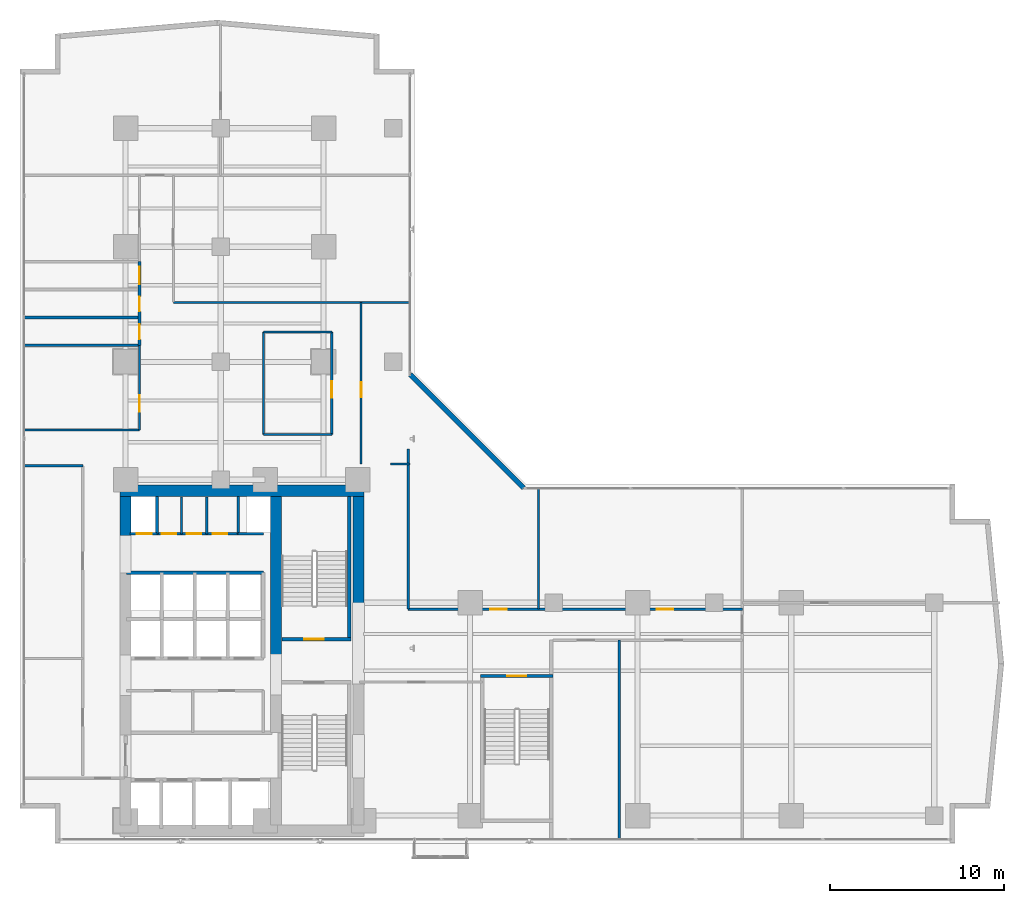
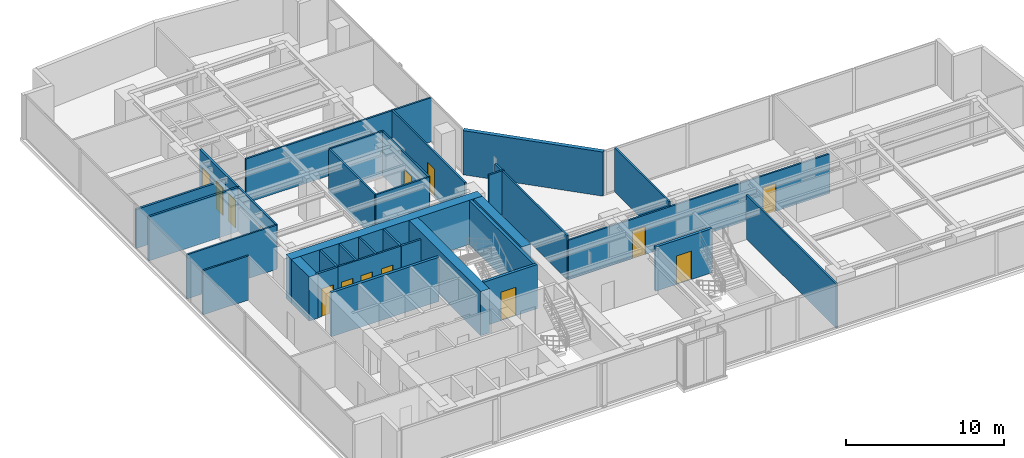
# One storey, part 20 of 25: 33 walls, 14 doors, 14 openings.
"""IFC4 building model written with IfcOpenShell, lengths in metres."""

from ifc_helpers import new_model, si_unit, direction, frame, frame_2d, origin, place, context, subcontext, project, spatial, rectangle, extrude, material, layer, layer_set, type_object, element, fill, save


model = new_model("IFC4")

# Units and contexts
model_context = context("Model", 3, precision=1e-05, world=origin(), true_north=direction((0.0, 1.0)))
body_context = subcontext(model_context, "Body", "Model", "MODEL_VIEW")
ifc_project = project(units=[si_unit("LENGTHUNIT", "METRE"), si_unit("AREAUNIT", "SQUARE_METRE"), si_unit("VOLUMEUNIT", "CUBIC_METRE"), si_unit("PLANEANGLEUNIT", "RADIAN"), si_unit("MASSUNIT", "GRAM", prefix="KILO")], contexts=[model_context])

# Site, building, storey
site_placement = place(None, origin())
site = spatial("IfcSite", under=ifc_project, at=site_placement, CompositionType="ELEMENT")
building_placement = place(site_placement, origin())
building = spatial("IfcBuilding", under=site, at=building_placement, Name="Kolvaren Waterfront Exchange", CompositionType="ELEMENT")
storey_placement = place(building_placement, frame((0.0, 0.0, 137.300048828125)))
storey = spatial("IfcBuildingStorey", under=building, at=storey_placement, Name="L35", CompositionType="ELEMENT", Elevation=137.300048828125)

# Wall
ifc_material_1 = material(Name="Precast concrete C40/50", Category="concrete")
ifc_layer_1 = layer(ifc_material_1, 0.280029296875, Name="Precast concrete C40/50")
ifc_layer_set_1 = layer_set([ifc_layer_1], Name="Precast concrete C40/50")
wall_type_1 = type_object("IfcWallType", Name="ARC-EXT-TERR-280", PredefinedType="SOLIDWALL", material=ifc_layer_set_1)
wall_1_placement = place(storey_placement, frame((30.284912109375, 23.97509765625, 0.0), z_axis=(0.0, 0.0, 1.0), x_axis=(-0.707106781187, 0.707106781187, 0.0)))
element("IfcWall", 1, at=wall_1_placement, inside=storey, type_object=wall_type_1, Name="L35 notched corner spandrel pier ELBOW", PredefinedType="SOLIDWALL", context=body_context, shape_type="SweptSolid", body=[
    extrude(rectangle(XDim=9.20654296875, YDim=0.280029296875, at=frame_2d((4.603271484375, 0.0))), origin(), (0.0, 0.0, 1.0), 3.419921875),
])

# Wall, opening, door
ifc_layer_2 = layer(ifc_material_1, 0.199951171875, Name="Precast concrete C40/50")
ifc_layer_set_2 = layer_set([ifc_layer_2], Name="Precast concrete C40/50")
wall_type_2 = type_object("IfcWallType", Name="ARC-FIRE-200", PredefinedType="PARTITIONING", material=ifc_layer_set_2)
wall_2_placement = place(storey_placement, frame((16.409912109375, 15.300048828125, 0.0), z_axis=(0.0, 0.0, 1.0), x_axis=(1.0, 0.0, 0.0)))
wall_2 = element("IfcWall", 2, at=wall_2_placement, inside=storey, type_object=wall_type_2, Name="L35 interior wall PW-L35-ST2-THROAT-N", PredefinedType="PARTITIONING", context=body_context, shape_type="SweptSolid", body=[
    extrude(rectangle(XDim=3.9501953125, YDim=0.199951171875, at=frame_2d((1.97509765625, 0.0))), origin(), (0.0, 0.0, 1.0), 3.419921875),
])
opening_1_placement = place(wall_2_placement, frame((1.293701171875, 0.0, 0.0)))
opening_1 = element("IfcOpeningElement", 3, at=opening_1_placement, cuts=wall_2, Name="Opening FD2", PredefinedType="OPENING", context=body_context, shape_type="SweptSolid", body=[
    extrude(rectangle(XDim=1.10009765625, YDim=2.199951171875, at=frame_2d((0.550048828125, 1.10009765625))), frame((0.0, 0.10986328125, 0.0), z_axis=(0.0, -1.0, 0.0), x_axis=(1.0, 0.0, 0.0)), (0.0, 0.0, 1.0), 0.219970703125),
])
ifc_material_2 = material(Name="Pressed steel smoke-seal fire door", Category="steel")
door_type_1 = type_object("IfcDoorType", Name="ARC-FD-1100", OperationType="NOTDEFINED", PredefinedType="DOOR", material=ifc_material_2)
door_1_placement = place(opening_1_placement, origin())
door_1 = element("IfcDoor", 4, at=door_1_placement, inside=storey, type_object=door_type_1, Name="L35 door DR-L35-ST2-IN (FD2)", OperationType="SINGLE_SWING_RIGHT", OverallHeight=2.199951171875, OverallWidth=1.10009765625, PredefinedType="DOOR", context=body_context, shape_type="SweptSolid", body=[
    extrude(rectangle(XDim=1.10009765625, YDim=2.199951171875, at=frame_2d((0.550048828125, 1.10009765625))), frame((0.0, 0.02490234375, 0.0), z_axis=(0.0, -1.0, 0.0), x_axis=(1.0, 0.0, 0.0)), (0.0, 0.0, 1.0), 0.050048828125),
])
fill(opening_1, door_1)

# Wall, openings, doors
ifc_material_3 = material(Name="Acoustic gypsum steel stud", Category="steel")
ifc_layer_3 = layer(ifc_material_3, 0.125, Name="Acoustic gypsum steel stud")
ifc_layer_set_3 = layer_set([ifc_layer_3], Name="Acoustic gypsum steel stud")
wall_type_3 = type_object("IfcWallType", Name="ARC-PART-125", PredefinedType="PARTITIONING", material=ifc_layer_set_3)
wall_3_placement = place(storey_placement, frame((9.25, 21.35009765625, 0.0), z_axis=(0.0, 0.0, 1.0), x_axis=(1.0, 0.0, 0.0)))
wall_3 = element("IfcWall", 5, at=wall_3_placement, inside=storey, type_object=wall_type_3, Name="L35 interior wall PW-L35-SVC-EX-S", PredefinedType="PARTITIONING", context=body_context, shape_type="SweptSolid", body=[
    extrude(rectangle(XDim=4.64990234375, YDim=0.125, at=frame_2d((2.324951171875, 0.0))), origin(), (0.0, 0.0, 1.0), 3.419921875),
])
opening_2_placement = place(wall_3_placement, frame((0.264892578125, 0.0, 0.0)))
opening_2 = element("IfcOpeningElement", 6, at=opening_2_placement, cuts=wall_3, Name="Opening D01", PredefinedType="OPENING", context=body_context, shape_type="SweptSolid", body=[
    extrude(rectangle(XDim=0.85009765625, YDim=2.14990234375, at=frame_2d((0.425048828125, 1.074951171875))), frame((0.0, 0.072509765625, 0.0), z_axis=(0.0, -1.0, 0.0), x_axis=(1.0, 0.0, 0.0)), (0.0, 0.0, 1.0), 0.14501953125),
])
opening_3_placement = place(wall_3_placement, frame((1.695068359375, 0.0, 0.0)))
opening_3 = element("IfcOpeningElement", 7, at=opening_3_placement, cuts=wall_3, Name="Opening D01", PredefinedType="OPENING", context=body_context, shape_type="SweptSolid", body=[
    extrude(rectangle(XDim=0.85009765625, YDim=2.14990234375, at=frame_2d((0.425048828125, 1.074951171875))), frame((0.0, 0.072509765625, 0.0), z_axis=(0.0, -1.0, 0.0), x_axis=(1.0, 0.0, 0.0)), (0.0, 0.0, 1.0), 0.14501953125),
])
opening_4_placement = place(wall_3_placement, frame((3.18994140625, 0.0, 0.0)))
opening_4 = element("IfcOpeningElement", 8, at=opening_4_placement, cuts=wall_3, Name="Opening D01", PredefinedType="OPENING", context=body_context, shape_type="SweptSolid", body=[
    extrude(rectangle(XDim=0.85009765625, YDim=2.14990234375, at=frame_2d((0.425048828125, 1.074951171875))), frame((0.0, 0.072509765625, 0.0), z_axis=(0.0, -1.0, 0.0), x_axis=(1.0, 0.0, 0.0)), (0.0, 0.0, 1.0), 0.14501953125),
])
ifc_material_4 = material(Name="Oak veneer timber leaf", Category="wood")
door_type_2 = type_object("IfcDoorType", Name="ARC-DR-900", OperationType="NOTDEFINED", PredefinedType="DOOR", material=ifc_material_4)
door_2_placement = place(opening_2_placement, origin())
door_2 = element("IfcDoor", 9, at=door_2_placement, inside=storey, type_object=door_type_2, Name="L35 door DR-L35-SVC-DR-1 (D01)", OperationType="SINGLE_SWING_RIGHT", OverallHeight=2.14990234375, OverallWidth=0.85009765625, PredefinedType="DOOR", context=body_context, shape_type="SweptSolid", body=[
    extrude(rectangle(XDim=0.85009765625, YDim=2.14990234375, at=frame_2d((0.425048828125, 1.074951171875))), frame((0.0, 0.02490234375, 0.0), z_axis=(0.0, -1.0, 0.0), x_axis=(1.0, 0.0, 0.0)), (0.0, 0.0, 1.0), 0.050048828125),
])
fill(opening_2, door_2)
door_3_placement = place(opening_3_placement, origin())
door_3 = element("IfcDoor", 10, at=door_3_placement, inside=storey, type_object=door_type_2, Name="L35 door DR-L35-SVC-DR-2 (D01)", OperationType="SINGLE_SWING_LEFT", OverallHeight=2.14990234375, OverallWidth=0.85009765625, PredefinedType="DOOR", context=body_context, shape_type="SweptSolid", body=[
    extrude(rectangle(XDim=0.85009765625, YDim=2.14990234375, at=frame_2d((0.425048828125, 1.074951171875))), frame((0.0, 0.02490234375, 0.0), z_axis=(0.0, -1.0, 0.0), x_axis=(1.0, 0.0, 0.0)), (0.0, 0.0, 1.0), 0.050048828125),
])
fill(opening_3, door_3)
door_4_placement = place(opening_4_placement, origin())
door_4 = element("IfcDoor", 11, at=door_4_placement, inside=storey, type_object=door_type_2, Name="L35 door DR-L35-SVC-DR-3 (D01)", OperationType="SINGLE_SWING_RIGHT", OverallHeight=2.14990234375, OverallWidth=0.85009765625, PredefinedType="DOOR", context=body_context, shape_type="SweptSolid", body=[
    extrude(rectangle(XDim=0.85009765625, YDim=2.14990234375, at=frame_2d((0.425048828125, 1.074951171875))), frame((0.0, 0.02490234375, 0.0), z_axis=(0.0, -1.0, 0.0), x_axis=(1.0, 0.0, 0.0)), (0.0, 0.0, 1.0), 0.050048828125),
])
fill(opening_4, door_4)

# Walls
for number, where, z_axis, x_axis, name in (
    (12, (10.64990234375, 21.35009765625, 0.0), (0.0, 0.0, 1.0), (0.0, 1.0, 0.0), "L35 interior wall PW-L35-SVC-EX-A"),
    (13, (12.10009765625, 21.35009765625, 0.0), (0.0, 0.0, 1.0), (0.0, 1.0, 0.0), "L35 interior wall PW-L35-SVC-EX-B"),
):
    element("IfcWall", number, at=place(storey_placement, frame(where, z_axis=z_axis, x_axis=x_axis)), inside=storey, type_object=wall_type_3, Name=name, PredefinedType="PARTITIONING", context=body_context, shape_type="SweptSolid", body=[
        extrude(rectangle(XDim=2.099853515625, YDim=0.125, at=frame_2d((1.0498046875, 0.0))), origin(), (0.0, 0.0, 1.0), 3.419921875),
    ])
for number, where, z_axis, x_axis, name in (
    (14, (15.35009765625, 27.050048828125, 0.0), (0.0, 0.0, 1.0), (1.0, 0.0, 0.0), "L35 interior wall PW-L35-ISL-S"),
    (15, (15.35009765625, 32.919921875, 0.0), (0.0, 0.0, 1.0), (1.0, 0.0, 0.0), "L35 interior wall PW-L35-ISL-N"),
):
    element("IfcWall", number, at=place(storey_placement, frame(where, z_axis=z_axis, x_axis=x_axis)), inside=storey, type_object=wall_type_3, Name=name, PredefinedType="PARTITIONING", context=body_context, shape_type="SweptSolid", body=[
        extrude(rectangle(XDim=3.919921875, YDim=0.125, at=frame_2d((1.9599609375, 0.0))), origin(), (0.0, 0.0, 1.0), 3.419921875),
    ])
wall_4_placement = place(storey_placement, frame((15.35009765625, 27.050048828125, 0.0), z_axis=(0.0, 0.0, 1.0), x_axis=(0.0, 1.0, 0.0)))
element("IfcWall", 16, at=wall_4_placement, inside=storey, type_object=wall_type_3, Name="L35 interior wall PW-L35-ISL-W", PredefinedType="PARTITIONING", context=body_context, shape_type="SweptSolid", body=[
    extrude(rectangle(XDim=5.869873046875, YDim=0.125, at=frame_2d((2.93505859375, 0.0))), origin(), (0.0, 0.0, 1.0), 3.419921875),
])

# Wall, opening, door
wall_5_placement = place(storey_placement, frame((19.27001953125, 27.050048828125, 0.0), z_axis=(0.0, 0.0, 1.0), x_axis=(0.0, 1.0, 0.0)))
wall_5 = element("IfcWall", 17, at=wall_5_placement, inside=storey, type_object=wall_type_3, Name="L35 interior wall PW-L35-ISL-E", PredefinedType="PARTITIONING", context=body_context, shape_type="SweptSolid", body=[
    extrude(rectangle(XDim=5.869873046875, YDim=0.125, at=frame_2d((2.93505859375, 0.0))), origin(), (0.0, 0.0, 1.0), 3.419921875),
])
opening_5_placement = place(wall_5_placement, frame((2.106201171875, 0.0, 0.0)))
opening_5 = element("IfcOpeningElement", 18, at=opening_5_placement, cuts=wall_5, Name="Opening D02", PredefinedType="OPENING", context=body_context, shape_type="SweptSolid", body=[
    extrude(rectangle(XDim=0.949951171875, YDim=2.14990234375, at=frame_2d((0.47509765625, 1.074951171875))), frame((0.0, 0.072509765625, 0.0), z_axis=(0.0, -1.0, 0.0), x_axis=(1.0, 0.0, 0.0)), (0.0, 0.0, 1.0), 0.14501953125),
])
ifc_material_5 = material(Name="Oak veneer acoustic timber", Category="wood")
door_type_3 = type_object("IfcDoorType", Name="ARC-DR-950", OperationType="NOTDEFINED", PredefinedType="DOOR", material=ifc_material_5)
door_5_placement = place(opening_5_placement, origin())
door_5 = element("IfcDoor", 19, at=door_5_placement, inside=storey, type_object=door_type_3, Name="L35 door DR-L35-ISL-D (D02)", OperationType="SINGLE_SWING_LEFT", OverallHeight=2.14990234375, OverallWidth=0.949951171875, PredefinedType="DOOR", context=body_context, shape_type="SweptSolid", body=[
    extrude(rectangle(XDim=0.949951171875, YDim=2.14990234375, at=frame_2d((0.47509765625, 1.074951171875))), frame((0.0, 0.02490234375, 0.0), z_axis=(0.0, -1.0, 0.0), x_axis=(1.0, 0.0, 0.0)), (0.0, 0.0, 1.0), 0.050048828125),
])
fill(opening_5, door_5)

wall_6_placement = place(storey_placement, frame((8.25, 27.300048828125, 0.0), z_axis=(0.0, 0.0, 1.0), x_axis=(0.0, 1.0, 0.0)))
wall_6 = element("IfcWall", 20, at=wall_6_placement, inside=storey, type_object=wall_type_3, Name="L35 interior wall PW-L35-PREWC-E", PredefinedType="PARTITIONING", context=body_context, shape_type="SweptSolid", body=[
    extrude(rectangle(XDim=4.849853515625, YDim=0.125, at=frame_2d((2.4248046875, 0.0))), origin(), (0.0, 0.0, 1.0), 3.419921875),
])
opening_6_placement = place(wall_6_placement, frame((1.050048828125, 0.0, 0.0)))
opening_6 = element("IfcOpeningElement", 21, at=opening_6_placement, cuts=wall_6, Name="Opening D02", PredefinedType="OPENING", context=body_context, shape_type="SweptSolid", body=[
    extrude(rectangle(XDim=0.949951171875, YDim=2.14990234375, at=frame_2d((0.47509765625, 1.074951171875))), frame((0.0, 0.072509765625, 0.0), z_axis=(0.0, -1.0, 0.0), x_axis=(1.0, 0.0, 0.0)), (0.0, 0.0, 1.0), 0.14501953125),
])
door_6_placement = place(opening_6_placement, origin())
door_6 = element("IfcDoor", 22, at=door_6_placement, inside=storey, type_object=door_type_3, Name="L35 door DR-L35-PREWC-D (D02)", OperationType="SINGLE_SWING_RIGHT", OverallHeight=2.14990234375, OverallWidth=0.949951171875, PredefinedType="DOOR", context=body_context, shape_type="SweptSolid", body=[
    extrude(rectangle(XDim=0.949951171875, YDim=2.14990234375, at=frame_2d((0.47509765625, 1.074951171875))), frame((0.0, 0.02490234375, 0.0), z_axis=(0.0, -1.0, 0.0), x_axis=(1.0, 0.0, 0.0)), (0.0, 0.0, 1.0), 0.050048828125),
])
fill(opening_6, door_6)

# Walls
wall_7_placement = place(storey_placement, frame((1.639892578125, 27.300048828125, 0.0), z_axis=(0.0, 0.0, 1.0), x_axis=(1.0, 0.0, 0.0)))
element("IfcWall", 23, at=wall_7_placement, inside=storey, type_object=wall_type_3, Name="L35 interior wall PW-L35-PREWC-S", PredefinedType="PARTITIONING", context=body_context, shape_type="SweptSolid", body=[
    extrude(rectangle(XDim=6.610107421875, YDim=0.125, at=frame_2d((3.30517578125, 0.0))), origin(), (0.0, 0.0, 1.0), 3.419921875),
])
wall_8_placement = place(storey_placement, frame((1.639892578125, 25.25, 0.0), z_axis=(0.0, 0.0, 1.0), x_axis=(1.0, 0.0, 0.0)))
element("IfcWall", 24, at=wall_8_placement, inside=storey, type_object=wall_type_3, Name="L35 interior wall PW-L35-WFLANK-N", PredefinedType="PARTITIONING", context=body_context, shape_type="SweptSolid", body=[
    extrude(rectangle(XDim=3.360107421875, YDim=0.125, at=frame_2d((1.68017578125, 0.0))), origin(), (0.0, 0.0, 1.0), 3.419921875),
])

# Wall, opening, door
wall_9_placement = place(storey_placement, frame((20.949951171875, 25.35009765625, 0.0), z_axis=(0.0, 0.0, 1.0), x_axis=(0.0, 1.0, 0.0)))
wall_9 = element("IfcWall", 25, at=wall_9_placement, inside=storey, type_object=wall_type_3, Name="L35 interior wall PW-L35-RFLANK-W", PredefinedType="PARTITIONING", context=body_context, shape_type="SweptSolid", body=[
    extrude(rectangle(XDim=9.25, YDim=0.125, at=frame_2d((4.625, 0.0))), origin(), (0.0, 0.0, 1.0), 3.419921875),
])
opening_7_placement = place(wall_9_placement, frame((3.8330078125, 0.0, 0.0)))
opening_7 = element("IfcOpeningElement", 26, at=opening_7_placement, cuts=wall_9, Name="Opening D01", PredefinedType="OPENING", context=body_context, shape_type="SweptSolid", body=[
    extrude(rectangle(XDim=0.85009765625, YDim=2.14990234375, at=frame_2d((0.425048828125, 1.074951171875))), frame((0.0, 0.072509765625, 0.0), z_axis=(0.0, -1.0, 0.0), x_axis=(1.0, 0.0, 0.0)), (0.0, 0.0, 1.0), 0.14501953125),
])
door_7_placement = place(opening_7_placement, origin())
door_7 = element("IfcDoor", 27, at=door_7_placement, inside=storey, type_object=door_type_2, Name="L35 door DR-L35-RFLANK-D (D01)", OperationType="SINGLE_SWING_RIGHT", OverallHeight=2.14990234375, OverallWidth=0.85009765625, PredefinedType="DOOR", context=body_context, shape_type="SweptSolid", body=[
    extrude(rectangle(XDim=0.85009765625, YDim=2.14990234375, at=frame_2d((0.425048828125, 1.074951171875))), frame((0.0, 0.02490234375, 0.0), z_axis=(0.0, -1.0, 0.0), x_axis=(1.0, 0.0, 0.0)), (0.0, 0.0, 1.0), 0.050048828125),
])
fill(opening_7, door_7)

# Walls
wall_10_placement = place(storey_placement, frame((22.64990234375, 25.35009765625, 0.0), z_axis=(0.0, 0.0, 1.0), x_axis=(1.0, 0.0, 0.0)))
element("IfcWall", 28, at=wall_10_placement, inside=storey, type_object=wall_type_3, Name="L35 interior wall PW-L35-RFLANK-S", PredefinedType="PARTITIONING", context=body_context, shape_type="SweptSolid", body=[
    extrude(rectangle(XDim=1.110107421875, YDim=0.125, at=frame_2d((0.55517578125, 0.0))), origin(), (0.0, 0.0, 1.0), 3.419921875),
])
wall_11_placement = place(storey_placement, frame((10.18994140625, 34.60009765625, 0.0), z_axis=(0.0, 0.0, 1.0), x_axis=(1.0, 0.0, 0.0)))
element("IfcWall", 29, at=wall_11_placement, inside=storey, type_object=wall_type_3, Name="L35 interior wall PW-L35-RFLANK-N", PredefinedType="PARTITIONING", context=body_context, shape_type="SweptSolid", body=[
    extrude(rectangle(XDim=13.570068359375, YDim=0.125, at=frame_2d((6.78515625, 0.0))), origin(), (0.0, 0.0, 1.0), 3.419921875),
])
wall_12_placement = place(storey_placement, frame((35.75, 3.840087890625, 0.0), z_axis=(0.0, 0.0, 1.0), x_axis=(0.0, 1.0, 0.0)))
element("IfcWall", 30, at=wall_12_placement, inside=storey, type_object=wall_type_3, Name="L35 interior wall PW-L35-ES-DIV-1", PredefinedType="PARTITIONING", context=body_context, shape_type="SweptSolid", body=[
    extrude(rectangle(XDim=11.409912109375, YDim=0.125, at=frame_2d((5.705078125, 0.0))), origin(), (0.0, 0.0, 1.0), 3.419921875),
])
wall_13_placement = place(storey_placement, frame((23.64990234375, 17.030029296875, 0.0), z_axis=(0.0, 0.0, 1.0), x_axis=(0.0, 1.0, 0.0)))
element("IfcWall", 31, at=wall_13_placement, inside=storey, type_object=wall_type_3, Name="L35 interior wall PW-L35-EN-W0", PredefinedType="PARTITIONING", context=body_context, shape_type="SweptSolid", body=[
    extrude(rectangle(XDim=9.169921875, YDim=0.125, at=frame_2d((4.5849609375, 0.0))), origin(), (0.0, 0.0, 1.0), 3.419921875),
])

# Wall, openings, doors
wall_14_placement = place(storey_placement, frame((23.64990234375, 17.030029296875, 0.0), z_axis=(0.0, 0.0, 1.0), x_axis=(1.0, 0.0, 0.0)))
wall_14 = element("IfcWall", 32, at=wall_14_placement, inside=storey, type_object=wall_type_3, Name="L35 interior wall PW-L35-EN-CORR", PredefinedType="PARTITIONING", context=body_context, shape_type="SweptSolid", body=[
    extrude(rectangle(XDim=19.150146484375, YDim=0.125, at=frame_2d((9.5751953125, 0.0))), origin(), (0.0, 0.0, 1.0), 3.06005859375),
])
opening_8_placement = place(wall_14_placement, frame((4.68994140625, 0.0, 0.0)))
opening_8 = element("IfcOpeningElement", 33, at=opening_8_placement, cuts=wall_14, Name="Opening D02", PredefinedType="OPENING", context=body_context, shape_type="SweptSolid", body=[
    extrude(rectangle(XDim=0.949951171875, YDim=2.14990234375, at=frame_2d((0.47509765625, 1.074951171875))), frame((0.0, 0.072509765625, 0.0), z_axis=(0.0, -1.0, 0.0), x_axis=(1.0, 0.0, 0.0)), (0.0, 0.0, 1.0), 0.14501953125),
])
opening_9_placement = place(wall_14_placement, frame((14.253662109375, 0.0, 0.0)))
opening_9 = element("IfcOpeningElement", 34, at=opening_9_placement, cuts=wall_14, Name="Opening D02", PredefinedType="OPENING", context=body_context, shape_type="SweptSolid", body=[
    extrude(rectangle(XDim=0.949951171875, YDim=2.14990234375, at=frame_2d((0.47509765625, 1.074951171875))), frame((0.0, 0.072509765625, 0.0), z_axis=(0.0, -1.0, 0.0), x_axis=(1.0, 0.0, 0.0)), (0.0, 0.0, 1.0), 0.14501953125),
])
door_8_placement = place(opening_8_placement, origin())
door_8 = element("IfcDoor", 35, at=door_8_placement, inside=storey, type_object=door_type_3, Name="L35 door DR-L35-EN-D-1 (D02)", OperationType="SINGLE_SWING_LEFT", OverallHeight=2.14990234375, OverallWidth=0.949951171875, PredefinedType="DOOR", context=body_context, shape_type="SweptSolid", body=[
    extrude(rectangle(XDim=0.949951171875, YDim=2.14990234375, at=frame_2d((0.47509765625, 1.074951171875))), frame((0.0, 0.02490234375, 0.0), z_axis=(0.0, -1.0, 0.0), x_axis=(1.0, 0.0, 0.0)), (0.0, 0.0, 1.0), 0.050048828125),
])
fill(opening_8, door_8)
door_9_placement = place(opening_9_placement, origin())
door_9 = element("IfcDoor", 36, at=door_9_placement, inside=storey, type_object=door_type_3, Name="L35 door DR-L35-EN-D-2 (D02)", OperationType="SINGLE_SWING_RIGHT", OverallHeight=2.14990234375, OverallWidth=0.949951171875, PredefinedType="DOOR", context=body_context, shape_type="SweptSolid", body=[
    extrude(rectangle(XDim=0.949951171875, YDim=2.14990234375, at=frame_2d((0.47509765625, 1.074951171875))), frame((0.0, 0.02490234375, 0.0), z_axis=(0.0, -1.0, 0.0), x_axis=(1.0, 0.0, 0.0)), (0.0, 0.0, 1.0), 0.050048828125),
])
fill(opening_9, door_9)

# Walls
wall_15_placement = place(storey_placement, frame((31.1201171875, 17.030029296875, 0.0), z_axis=(0.0, 0.0, 1.0), x_axis=(0.0, 1.0, 0.0)))
element("IfcWall", 37, at=wall_15_placement, inside=storey, type_object=wall_type_3, Name="L35 interior wall PW-L35-EN-DIV-1", PredefinedType="PARTITIONING", context=body_context, shape_type="SweptSolid", body=[
    extrude(rectangle(XDim=6.929931640625, YDim=0.125, at=frame_2d((3.46484375, 0.0))), origin(), (0.0, 0.0, 1.0), 3.419921875),
])
ifc_material_6 = material(Name="Gypsum fireboard steel stud", Category="steel")
ifc_layer_4 = layer(ifc_material_6, 0.14990234375, Name="Gypsum fireboard steel stud")
ifc_layer_set_4 = layer_set([ifc_layer_4], Name="Gypsum fireboard steel stud")
wall_type_4 = type_object("IfcWallType", Name="ARC-PART-150", PredefinedType="PARTITIONING", material=ifc_layer_set_4)
for number, where, z_axis, x_axis, name in (
    (38, (9.25, 21.35009765625, 0.0), (0.0, 0.0, 1.0), (0.0, 1.0, 0.0), "L35 interior wall PW-L35-SVC-R1"),
    (39, (13.89990234375, 21.35009765625, 0.0), (0.0, 0.0, 1.0), (0.0, 1.0, 0.0), "L35 interior wall PW-L35-SVC-R2"),
):
    element("IfcWall", number, at=place(storey_placement, frame(where, z_axis=z_axis, x_axis=x_axis)), inside=storey, type_object=wall_type_4, Name=name, PredefinedType="PARTITIONING", context=body_context, shape_type="SweptSolid", body=[
        extrude(rectangle(XDim=2.1298828125, YDim=0.14990234375, at=frame_2d((1.06494140625, 0.0))), origin(), (0.0, 0.0, 1.0), 3.419921875),
    ])

# Wall, opening, door
wall_16_placement = place(storey_placement, frame((7.699951171875, 21.35009765625, 0.0), z_axis=(0.0, 0.0, 1.0), x_axis=(1.0, 0.0, 0.0)))
wall_16 = element("IfcWall", 40, at=wall_16_placement, inside=storey, type_object=wall_type_4, Name="L35 interior wall PW-L35-SVC-RE-S", PredefinedType="PARTITIONING", context=body_context, shape_type="SweptSolid", body=[
    extrude(rectangle(XDim=1.550048828125, YDim=0.14990234375, at=frame_2d((0.77490234375, 0.0))), origin(), (0.0, 0.0, 1.0), 3.419921875),
])
opening_10_placement = place(wall_16_placement, frame((0.389892578125, 0.0, 0.0)))
opening_10 = element("IfcOpeningElement", 41, at=opening_10_placement, cuts=wall_16, Name="Opening FD1", PredefinedType="OPENING", context=body_context, shape_type="SweptSolid", body=[
    extrude(rectangle(XDim=0.85009765625, YDim=2.14990234375, at=frame_2d((0.425048828125, 1.074951171875))), frame((0.0, 0.0849609375, 0.0), z_axis=(0.0, -1.0, 0.0), x_axis=(1.0, 0.0, 0.0)), (0.0, 0.0, 1.0), 0.169921875),
])
ifc_material_7 = material(Name="Pressed steel fire leaf", Category="steel")
door_type_4 = type_object("IfcDoorType", Name="ARC-FD-900", OperationType="NOTDEFINED", PredefinedType="DOOR", material=ifc_material_7)
door_10_placement = place(opening_10_placement, origin())
door_10 = element("IfcDoor", 42, at=door_10_placement, inside=storey, type_object=door_type_4, Name="L35 door DR-L35-RISER-E-DR (FD1)", OperationType="SINGLE_SWING_LEFT", OverallHeight=2.14990234375, OverallWidth=0.85009765625, PredefinedType="DOOR", context=body_context, shape_type="SweptSolid", body=[
    extrude(rectangle(XDim=0.85009765625, YDim=2.14990234375, at=frame_2d((0.425048828125, 1.074951171875))), frame((0.0, 0.02490234375, 0.0), z_axis=(0.0, -1.0, 0.0), x_axis=(1.0, 0.0, 0.0)), (0.0, 0.0, 1.0), 0.050048828125),
])
fill(opening_10, door_10)

# Walls
wall_17_placement = place(storey_placement, frame((13.89990234375, 21.35009765625, 0.0), z_axis=(0.0, 0.0, 1.0), x_axis=(1.0, 0.0, 0.0)))
element("IfcWall", 43, at=wall_17_placement, inside=storey, type_object=wall_type_4, Name="L35 interior wall PW-L35-SVC-RP-S", PredefinedType="PARTITIONING", context=body_context, shape_type="SweptSolid", body=[
    extrude(rectangle(XDim=1.4501953125, YDim=0.14990234375, at=frame_2d((0.72509765625, 0.0))), origin(), (0.0, 0.0, 1.0), 3.419921875),
])
ifc_material_8 = material(Name="Moisture-resistant gypsum stud")
ifc_layer_5 = layer(ifc_material_8, 0.14990234375, Name="Moisture-resistant gypsum stud")
ifc_layer_set_5 = layer_set([ifc_layer_5], Name="Moisture-resistant gypsum stud")
wall_type_5 = type_object("IfcWallType", Name="ARC-PLUMB-150", PredefinedType="PLUMBINGWALL", material=ifc_layer_set_5)
wall_18_placement = place(storey_placement, frame((1.639892578125, 32.14990234375, 0.0), z_axis=(0.0, 0.0, 1.0), x_axis=(1.0, 0.0, 0.0)))
element("IfcWall", 44, at=wall_18_placement, inside=storey, type_object=wall_type_5, Name="L35 interior wall PW-L35-WC-0", PredefinedType="PLUMBINGWALL", context=body_context, shape_type="SweptSolid", body=[
    extrude(rectangle(XDim=6.610107421875, YDim=0.14990234375, at=frame_2d((3.30517578125, 0.0))), origin(), (0.0, 0.0, 1.0), 3.419921875),
])

# Wall, openings, doors
wall_19_placement = place(storey_placement, frame((8.25, 32.14990234375, 0.0), z_axis=(0.0, 0.0, 1.0), x_axis=(0.0, 1.0, 0.0)))
wall_19 = element("IfcWall", 45, at=wall_19_placement, inside=storey, type_object=wall_type_5, Name="L35 interior wall PW-L35-WC-E", PredefinedType="PLUMBINGWALL", context=body_context, shape_type="SweptSolid", body=[
    extrude(rectangle(XDim=4.800048828125, YDim=0.14990234375, at=frame_2d((2.39990234375, 0.0))), origin(), (0.0, 0.0, 1.0), 3.419921875),
])
opening_11_placement = place(wall_19_placement, frame((0.35009765625, 0.0, 0.0)))
opening_11 = element("IfcOpeningElement", 46, at=opening_11_placement, cuts=wall_19, Name="Opening D01", PredefinedType="OPENING", context=body_context, shape_type="SweptSolid", body=[
    extrude(rectangle(XDim=0.85009765625, YDim=2.14990234375, at=frame_2d((0.425048828125, 1.074951171875))), frame((0.0, 0.0849609375, 0.0), z_axis=(0.0, -1.0, 0.0), x_axis=(1.0, 0.0, 0.0)), (0.0, 0.0, 1.0), 0.169921875),
])
opening_12_placement = place(wall_19_placement, frame((1.949951171875, 0.0, 0.0)))
opening_12 = element("IfcOpeningElement", 47, at=opening_12_placement, cuts=wall_19, Name="Opening D01", PredefinedType="OPENING", context=body_context, shape_type="SweptSolid", body=[
    extrude(rectangle(XDim=0.85009765625, YDim=2.14990234375, at=frame_2d((0.425048828125, 1.074951171875))), frame((0.0, 0.0849609375, 0.0), z_axis=(0.0, -1.0, 0.0), x_axis=(1.0, 0.0, 0.0)), (0.0, 0.0, 1.0), 0.169921875),
])
opening_13_placement = place(wall_19_placement, frame((3.5, 0.0, 0.0)))
opening_13 = element("IfcOpeningElement", 48, at=opening_13_placement, cuts=wall_19, Name="Opening D03", PredefinedType="OPENING", context=body_context, shape_type="SweptSolid", body=[
    extrude(rectangle(XDim=1.0, YDim=2.199951171875, at=frame_2d((0.5, 1.10009765625))), frame((0.0, 0.0849609375, 0.0), z_axis=(0.0, -1.0, 0.0), x_axis=(1.0, 0.0, 0.0)), (0.0, 0.0, 1.0), 0.169921875),
])
ifc_material_9 = material(Name="Oak veneer accessible timber", Category="wood")
door_type_5 = type_object("IfcDoorType", Name="ARC-DR-1000", OperationType="NOTDEFINED", PredefinedType="DOOR", material=ifc_material_9)
door_11_placement = place(opening_13_placement, origin())
door_11 = element("IfcDoor", 49, at=door_11_placement, inside=storey, type_object=door_type_5, Name="L35 door DR-L35-WCA-D (D03)", OperationType="SINGLE_SWING_LEFT", OverallHeight=2.199951171875, OverallWidth=1.0, PredefinedType="DOOR", context=body_context, shape_type="SweptSolid", body=[
    extrude(rectangle(XDim=1.0, YDim=2.199951171875, at=frame_2d((0.5, 1.10009765625))), frame((0.0, 0.02490234375, 0.0), z_axis=(0.0, -1.0, 0.0), x_axis=(1.0, 0.0, 0.0)), (0.0, 0.0, 1.0), 0.050048828125),
])
fill(opening_13, door_11)
door_12_placement = place(opening_11_placement, origin())
door_12 = element("IfcDoor", 50, at=door_12_placement, inside=storey, type_object=door_type_2, Name="L35 door DR-L35-WCM-D (D01)", OperationType="SINGLE_SWING_LEFT", OverallHeight=2.14990234375, OverallWidth=0.85009765625, PredefinedType="DOOR", context=body_context, shape_type="SweptSolid", body=[
    extrude(rectangle(XDim=0.85009765625, YDim=2.14990234375, at=frame_2d((0.425048828125, 1.074951171875))), frame((0.0, 0.02490234375, 0.0), z_axis=(0.0, -1.0, 0.0), x_axis=(1.0, 0.0, 0.0)), (0.0, 0.0, 1.0), 0.050048828125),
])
fill(opening_11, door_12)
door_13_placement = place(opening_12_placement, origin())
door_13 = element("IfcDoor", 51, at=door_13_placement, inside=storey, type_object=door_type_2, Name="L35 door DR-L35-WCF-D (D01)", OperationType="SINGLE_SWING_RIGHT", OverallHeight=2.14990234375, OverallWidth=0.85009765625, PredefinedType="DOOR", context=body_context, shape_type="SweptSolid", body=[
    extrude(rectangle(XDim=0.85009765625, YDim=2.14990234375, at=frame_2d((0.425048828125, 1.074951171875))), frame((0.0, 0.02490234375, 0.0), z_axis=(0.0, -1.0, 0.0), x_axis=(1.0, 0.0, 0.0)), (0.0, 0.0, 1.0), 0.050048828125),
])
fill(opening_12, door_13)

# Walls
wall_20_placement = place(storey_placement, frame((1.639892578125, 33.75, 0.0), z_axis=(0.0, 0.0, 1.0), x_axis=(1.0, 0.0, 0.0)))
element("IfcWall", 52, at=wall_20_placement, inside=storey, type_object=wall_type_5, Name="L35 interior wall PW-L35-WC-1", PredefinedType="PLUMBINGWALL", context=body_context, shape_type="SweptSolid", body=[
    extrude(rectangle(XDim=6.610107421875, YDim=0.14990234375, at=frame_2d((3.30517578125, 0.0))), origin(), (0.0, 0.0, 1.0), 3.02001953125),
])
ifc_material_10 = material(Name="Concrete C40/50", Category="concrete")
ifc_layer_6 = layer(ifc_material_10, 0.199951171875, Name="Concrete C40/50")
ifc_layer_set_6 = layer_set([ifc_layer_6], Name="Concrete C40/50")
wall_type_6 = type_object("IfcWallType", Name="ARC-SHAFT-200", PredefinedType="PARTITIONING", material=ifc_layer_set_6)
wall_21_placement = place(storey_placement, frame((20.260009765625, 15.39990234375, 0.0), z_axis=(0.0, 0.0, 1.0), x_axis=(0.0, 1.0, 0.0)))
element("IfcWall", 53, at=wall_21_placement, inside=storey, type_object=wall_type_6, Name="L35 structural stairwell wall PW-L35-ST2-E", PredefinedType="SHEAR", context=body_context, shape_type="SweptSolid", body=[
    extrude(rectangle(XDim=8.090087890625, YDim=0.199951171875, at=frame_2d((4.044921875, 0.0))), origin(), (0.0, 0.0, 1.0), 3.419921875),
])

# Wall, opening, door
wall_22_placement = place(storey_placement, frame((27.800048828125, 13.199951171875, 0.0), z_axis=(0.0, 0.0, 1.0), x_axis=(1.0, 0.0, 0.0)))
wall_22 = element("IfcWall", 54, at=wall_22_placement, inside=storey, type_object=wall_type_6, Name="L35 structural stairwell wall PW-L35-ST3-N", PredefinedType="SHEAR", context=body_context, shape_type="SweptSolid", body=[
    extrude(rectangle(XDim=4.159912109375, YDim=0.199951171875, at=frame_2d((2.080078125, 0.0))), origin(), (0.0, 0.0, 1.0), 3.419921875),
])
opening_14_placement = place(wall_22_placement, frame((1.530029296875, 0.0, 0.0)))
opening_14 = element("IfcOpeningElement", 55, at=opening_14_placement, cuts=wall_22, Name="Opening FD2", PredefinedType="OPENING", context=body_context, shape_type="SweptSolid", body=[
    extrude(rectangle(XDim=1.10009765625, YDim=2.199951171875, at=frame_2d((0.550048828125, 1.10009765625))), frame((0.0, 0.10986328125, 0.0), z_axis=(0.0, -1.0, 0.0), x_axis=(1.0, 0.0, 0.0)), (0.0, 0.0, 1.0), 0.219970703125),
])
door_14_placement = place(opening_14_placement, frame((1.10009765625, 0.0, 0.0), z_axis=(0.0, 0.0, 1.0), x_axis=(-1.0, 0.0, 0.0)))
door_14 = element("IfcDoor", 56, at=door_14_placement, inside=storey, type_object=door_type_1, Name="L35 door DR-L35-ST3-IN (FD2)", OperationType="SINGLE_SWING_LEFT", OverallHeight=2.199951171875, OverallWidth=1.10009765625, PredefinedType="DOOR", context=body_context, shape_type="SweptSolid", body=[
    extrude(rectangle(XDim=1.10009765625, YDim=2.199951171875, at=frame_2d((0.550048828125, 1.10009765625))), frame((0.0, 0.02490234375, 0.0), z_axis=(0.0, -1.0, 0.0), x_axis=(1.0, 0.0, 0.0)), (0.0, 0.0, 1.0), 0.050048828125),
])
fill(opening_14, door_14)

# Walls
wall_23_placement = place(storey_placement, frame((7.5, 19.1201171875, 0.0), z_axis=(0.0, 0.0, 1.0), x_axis=(1.0, 0.0, 0.0)))
element("IfcWall", 57, at=wall_23_placement, inside=storey, type_object=wall_type_6, Name="L35 interior wall PW-L35-PH-N", PredefinedType="PARTITIONING", context=body_context, shape_type="SweptSolid", body=[
    extrude(rectangle(XDim=7.85009765625, YDim=0.199951171875, at=frame_2d((3.925048828125, 0.0))), origin(), (0.0, 0.0, 1.0), 3.419921875),
])
ifc_material_11 = material(Name="Concrete C60/75", Category="concrete")
ifc_layer_7 = layer(ifc_material_11, 0.64990234375, Name="Concrete C60/75")
ifc_layer_set_7 = layer_set([ifc_layer_7], Name="Concrete C60/75")
wall_type_7 = type_object("IfcWallType", Name="STR-CWALL-650", PredefinedType="SHEAR", material=ifc_layer_set_7)
wall_24_placement = place(storey_placement, frame((7.125, 23.824951171875, 0.0), z_axis=(0.0, 0.0, 1.0), x_axis=(1.0, 0.0, 0.0)))
element("IfcWall", 58, at=wall_24_placement, inside=storey, type_object=wall_type_7, Name="L35 rear-core shear wall N", PredefinedType="SHEAR", context=body_context, shape_type="SweptSolid", body=[
    extrude(rectangle(XDim=14.0, YDim=0.64990234375, at=frame_2d((7.0, 0.0))), origin(), (0.0, 0.0, 1.0), 3.419921875),
])
wall_25_placement = place(storey_placement, frame((7.449951171875, 21.239990234375, 0.0), z_axis=(0.0, 0.0, 1.0), x_axis=(0.0, 1.0, 0.0)))
element("IfcWall", 59, at=wall_25_placement, inside=storey, type_object=wall_type_7, Name="L35 rear-core shear wall W3", PredefinedType="SHEAR", context=body_context, shape_type="SweptSolid", body=[
    extrude(rectangle(XDim=2.260009765625, YDim=0.64990234375, at=frame_2d((1.1298828125, 0.0))), origin(), (0.0, 0.0, 1.0), 3.419921875),
])
wall_26_placement = place(storey_placement, frame((20.800048828125, 17.35009765625, 0.0), z_axis=(0.0, 0.0, 1.0), x_axis=(0.0, 1.0, 0.0)))
element("IfcWall", 60, at=wall_26_placement, inside=storey, type_object=wall_type_7, Name="L35 rear-core shear wall E3", PredefinedType="SHEAR", context=body_context, shape_type="SweptSolid", body=[
    extrude(rectangle(XDim=6.14990234375, YDim=0.64990234375, at=frame_2d((3.074951171875, 0.0))), origin(), (0.0, 0.0, 1.0), 3.419921875),
])
wall_27_placement = place(storey_placement, frame((16.074951171875, 14.39990234375, 0.0), z_axis=(0.0, 0.0, 1.0), x_axis=(0.0, 1.0, 0.0)))
element("IfcWall", 61, at=wall_27_placement, inside=storey, type_object=wall_type_7, Name="L35 rear-core shear wall M3", PredefinedType="SHEAR", context=body_context, shape_type="SweptSolid", body=[
    extrude(rectangle(XDim=9.10009765625, YDim=0.64990234375, at=frame_2d((4.550048828125, 0.0))), origin(), (0.0, 0.0, 1.0), 3.419921875),
])

save(model, "model.ifc")
